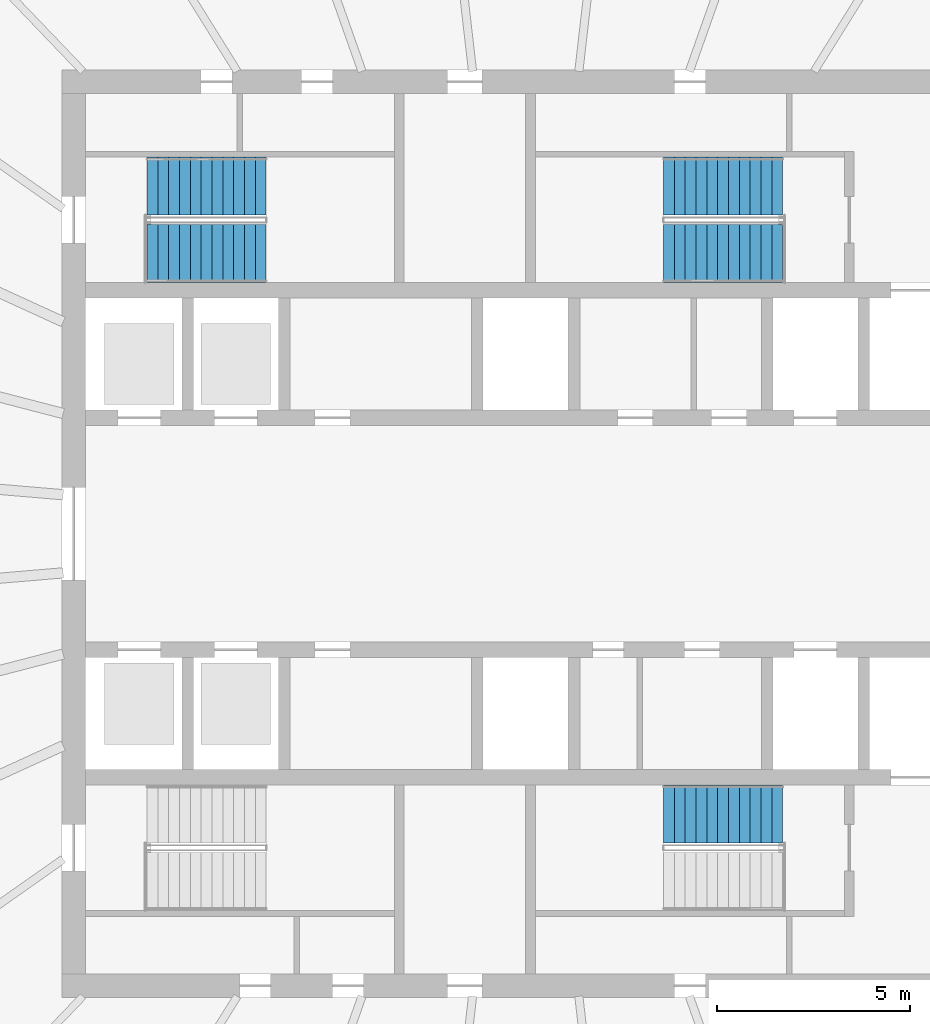
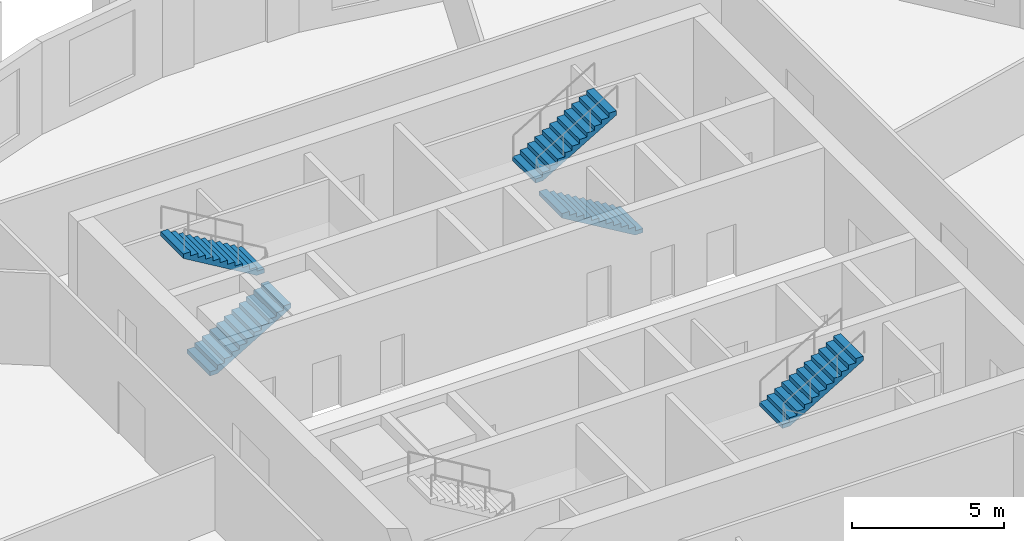
# One storey, part 7 of 10: 5 stair flights, 3 elements without a shape of their own.
"""IFC4 building model written with IfcOpenShell, lengths in metres."""

from ifc_helpers import new_model, si_unit, direction, frame, origin, place, context, subcontext, project, spatial, polyline, outline, extrude, material, type_object, element, aggregate, save


model = new_model("IFC4")

# Units and contexts
model_context = context("Model", 3, precision=1e-05, world=origin(), true_north=direction((0.0, 1.0)))
body_context = subcontext(model_context, "Body", "Model", "MODEL_VIEW")
ifc_project = project(units=[si_unit("LENGTHUNIT", "METRE"), si_unit("AREAUNIT", "SQUARE_METRE"), si_unit("VOLUMEUNIT", "CUBIC_METRE"), si_unit("PLANEANGLEUNIT", "RADIAN"), si_unit("MASSUNIT", "GRAM", prefix="KILO")], contexts=[model_context])

# Site, building, storey
site_placement = place(None, origin())
site = spatial("IfcSite", under=ifc_project, at=site_placement, CompositionType="ELEMENT")
building_placement = place(site_placement, origin())
building = spatial("IfcBuilding", under=site, at=building_placement, Name="Halqa Exchange Tower", CompositionType="ELEMENT")
storey_placement = place(building_placement, frame((0.0, 0.0, 296.300048828125)))
storey = spatial("IfcBuildingStorey", under=building, at=storey_placement, Name="L69", CompositionType="ELEMENT", Elevation=296.300048828125)

# Stair, stair flights
ifc_material = material(Name="Concrete C30/37", Category="concrete")
stair_type = type_object("IfcStairType", Name="Exit stair 1500 wide", PredefinedType="HALF_TURN_STAIR", material=ifc_material)
stair_1_placement = place(storey_placement, origin())
stair_1 = element("IfcStair", 1, at=stair_1_placement, inside=storey, type_object=stair_type, Name="Exit stair ST1", PredefinedType="HALF_TURN_STAIR")
stair_flight_type = type_object("IfcStairFlightType", Name="Stair flight 1500 wide", PredefinedType="STRAIGHT", material=ifc_material)
stair_flight_1_placement = place(storey_placement, frame((-9.800048828125, 7.25, 0.0), z_axis=(0.0, 0.0, 1.0), x_axis=(1.0, 0.0, 0.0)))
stair_flight_1 = element("IfcStairFlight", 2, at=stair_flight_1_placement, type_object=stair_flight_type, Name="ST1 flight 1", NumberOfRisers=12, NumberOfTreads=11, PredefinedType="STRAIGHT", RiserHeight=0.166666667, TreadLength=0.28, context=body_context, shape_type="SweptSolid", body=[
    extrude(outline(polyline([(0.0, 0.0), (0.0, 0.166748046875), (0.280029296875, 0.166748046875), (0.280029296875, 0.333251953125), (0.56005859375, 0.333251953125), (0.56005859375, 0.5), (0.840087890625, 0.5), (0.840087890625, 0.666748046875), (1.1201171875, 0.666748046875), (1.1201171875, 0.833251953125), (1.39990234375, 0.833251953125), (1.39990234375, 1.0), (1.679931640625, 1.0), (1.679931640625, 1.166748046875), (1.9599609375, 1.166748046875), (1.9599609375, 1.333251953125), (2.239990234375, 1.333251953125), (2.239990234375, 1.5), (2.52001953125, 1.5), (2.52001953125, 1.666748046875), (2.800048828125, 1.666748046875), (2.800048828125, 1.833251953125), (3.080078125, 1.833251953125), (3.080078125, 2.0), (3.080078125, 1.658935546875), (0.29296875, 0.0), (0.0, 0.0)])), frame((0.0, 0.75, 0.0), z_axis=(0.0, -1.0, 0.0), x_axis=(1.0, 0.0, 0.0)), (0.0, 0.0, 1.0), 1.5),
])
stair_flight_2_placement = place(storey_placement, frame((-6.719970703125, 9.0, 2.0), z_axis=(0.0, 0.0, 1.0), x_axis=(-1.0, 0.0, 0.0)))
stair_flight_2 = element("IfcStairFlight", 3, at=stair_flight_2_placement, type_object=stair_flight_type, Name="ST1 flight 2", NumberOfRisers=12, NumberOfTreads=11, PredefinedType="STRAIGHT", RiserHeight=0.166666667, TreadLength=0.28, context=body_context, shape_type="SweptSolid", body=[
    extrude(outline(polyline([(0.0, 0.0), (0.0, 0.166748046875), (0.280029296875, 0.166748046875), (0.280029296875, 0.333251953125), (0.56005859375, 0.333251953125), (0.56005859375, 0.5), (0.840087890625, 0.5), (0.840087890625, 0.666748046875), (1.1201171875, 0.666748046875), (1.1201171875, 0.833251953125), (1.39990234375, 0.833251953125), (1.39990234375, 1.0), (1.679931640625, 1.0), (1.679931640625, 1.166748046875), (1.9599609375, 1.166748046875), (1.9599609375, 1.333251953125), (2.239990234375, 1.333251953125), (2.239990234375, 1.5), (2.52001953125, 1.5), (2.52001953125, 1.666748046875), (2.800048828125, 1.666748046875), (2.800048828125, 1.833251953125), (3.080078125, 1.833251953125), (3.080078125, 2.0), (3.080078125, 1.658935546875), (0.29296875, 0.0), (0.0, 0.0)])), frame((0.0, 0.75, 0.0), z_axis=(0.0, -1.0, 0.0), x_axis=(1.0, 0.0, 0.0)), (0.0, 0.0, 1.0), 1.5),
])
aggregate(stair_1, [stair_flight_1, stair_flight_2])

stair_2_placement = place(storey_placement, origin())
stair_2 = element("IfcStair", 4, at=stair_2_placement, inside=storey, type_object=stair_type, Name="Exit stair ST2", PredefinedType="HALF_TURN_STAIR")
stair_flight_3_placement = place(storey_placement, frame((6.64990234375, 7.25, 0.0), z_axis=(0.0, 0.0, 1.0), x_axis=(-1.0, 0.0, 0.0)))
stair_flight_3 = element("IfcStairFlight", 5, at=stair_flight_3_placement, type_object=stair_flight_type, Name="ST2 flight 1", NumberOfRisers=12, NumberOfTreads=11, PredefinedType="STRAIGHT", RiserHeight=0.166666667, TreadLength=0.28, context=body_context, shape_type="SweptSolid", body=[
    extrude(outline(polyline([(0.0, 0.0), (0.0, 0.166748046875), (0.280029296875, 0.166748046875), (0.280029296875, 0.333251953125), (0.56005859375, 0.333251953125), (0.56005859375, 0.5), (0.840087890625, 0.5), (0.840087890625, 0.666748046875), (1.1201171875, 0.666748046875), (1.1201171875, 0.833251953125), (1.39990234375, 0.833251953125), (1.39990234375, 1.0), (1.679931640625, 1.0), (1.679931640625, 1.166748046875), (1.9599609375, 1.166748046875), (1.9599609375, 1.333251953125), (2.239990234375, 1.333251953125), (2.239990234375, 1.5), (2.52001953125, 1.5), (2.52001953125, 1.666748046875), (2.800048828125, 1.666748046875), (2.800048828125, 1.833251953125), (3.080078125, 1.833251953125), (3.080078125, 2.0), (3.080078125, 1.658935546875), (0.29296875, 0.0), (0.0, 0.0)])), frame((0.0, 0.75, 0.0), z_axis=(0.0, -1.0, 0.0), x_axis=(1.0, 0.0, 0.0)), (0.0, 0.0, 1.0), 1.5),
])
stair_flight_4_placement = place(storey_placement, frame((3.570068359375, 9.0, 2.0), z_axis=(0.0, 0.0, 1.0), x_axis=(1.0, 0.0, 0.0)))
stair_flight_4 = element("IfcStairFlight", 6, at=stair_flight_4_placement, type_object=stair_flight_type, Name="ST2 flight 2", NumberOfRisers=12, NumberOfTreads=11, PredefinedType="STRAIGHT", RiserHeight=0.166666667, TreadLength=0.28, context=body_context, shape_type="SweptSolid", body=[
    extrude(outline(polyline([(0.0, 0.0), (0.0, 0.166748046875), (0.280029296875, 0.166748046875), (0.280029296875, 0.333251953125), (0.56005859375, 0.333251953125), (0.56005859375, 0.5), (0.840087890625, 0.5), (0.840087890625, 0.666748046875), (1.1201171875, 0.666748046875), (1.1201171875, 0.833251953125), (1.39990234375, 0.833251953125), (1.39990234375, 1.0), (1.679931640625, 1.0), (1.679931640625, 1.166748046875), (1.9599609375, 1.166748046875), (1.9599609375, 1.333251953125), (2.239990234375, 1.333251953125), (2.239990234375, 1.5), (2.52001953125, 1.5), (2.52001953125, 1.666748046875), (2.800048828125, 1.666748046875), (2.800048828125, 1.833251953125), (3.080078125, 1.833251953125), (3.080078125, 2.0), (3.080078125, 1.658935546875), (0.29296875, 0.0), (0.0, 0.0)])), frame((0.0, 0.75, 0.0), z_axis=(0.0, -1.0, 0.0), x_axis=(1.0, 0.0, 0.0)), (0.0, 0.0, 1.0), 1.5),
])
aggregate(stair_2, [stair_flight_3, stair_flight_4])

# Stair, stair flight
stair_3_placement = place(storey_placement, origin())
stair_3 = element("IfcStair", 7, at=stair_3_placement, inside=storey, type_object=stair_type, Name="Exit stair ST4", PredefinedType="HALF_TURN_STAIR")
stair_flight_5_placement = place(storey_placement, frame((3.570068359375, -7.25, 2.0), z_axis=(0.0, 0.0, 1.0), x_axis=(1.0, 0.0, 0.0)))
stair_flight_5 = element("IfcStairFlight", 8, at=stair_flight_5_placement, type_object=stair_flight_type, Name="ST4 flight 2", NumberOfRisers=12, NumberOfTreads=11, PredefinedType="STRAIGHT", RiserHeight=0.166666667, TreadLength=0.28, context=body_context, shape_type="SweptSolid", body=[
    extrude(outline(polyline([(0.0, 0.0), (0.0, 0.166748046875), (0.280029296875, 0.166748046875), (0.280029296875, 0.333251953125), (0.56005859375, 0.333251953125), (0.56005859375, 0.5), (0.840087890625, 0.5), (0.840087890625, 0.666748046875), (1.1201171875, 0.666748046875), (1.1201171875, 0.833251953125), (1.39990234375, 0.833251953125), (1.39990234375, 1.0), (1.679931640625, 1.0), (1.679931640625, 1.166748046875), (1.9599609375, 1.166748046875), (1.9599609375, 1.333251953125), (2.239990234375, 1.333251953125), (2.239990234375, 1.5), (2.52001953125, 1.5), (2.52001953125, 1.666748046875), (2.800048828125, 1.666748046875), (2.800048828125, 1.833251953125), (3.080078125, 1.833251953125), (3.080078125, 2.0), (3.080078125, 1.658935546875), (0.29296875, 0.0), (0.0, 0.0)])), frame((0.0, 0.75, 0.0), z_axis=(0.0, -1.0, 0.0), x_axis=(1.0, 0.0, 0.0)), (0.0, 0.0, 1.0), 1.5),
])
aggregate(stair_3, [stair_flight_5])

save(model, "model.ifc")
